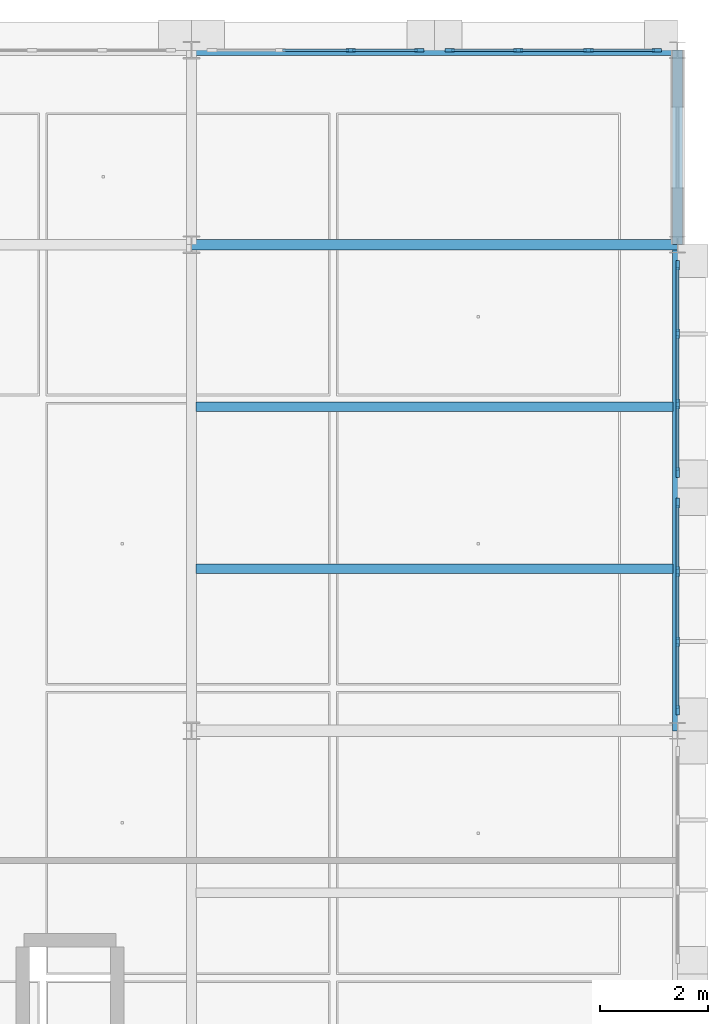
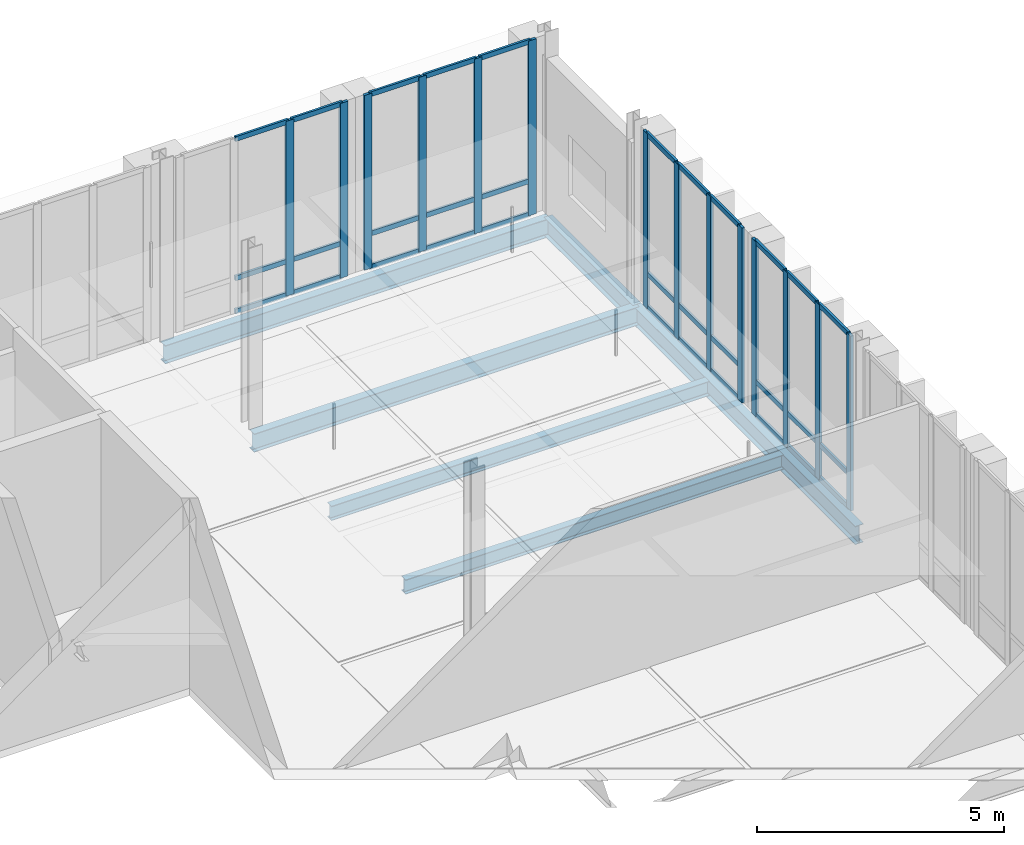
# One storey, part 34 of 89: 47 members, 6 beams, 4 elements without a shape of their own.
"""IFC4 building model written with IfcOpenShell, lengths in metres."""

from ifc_helpers import new_model, si_unit, direction, frame, origin, origin_2d, place, context, subcontext, project, spatial, rectangle, i_section, extrude, material, material_profile, profile_set, type_object, element, aggregate, save


model = new_model("IFC4")

# Units and contexts
model_context = context("Model", 3, precision=1e-05, world=origin(), true_north=direction((0.0, 1.0)))
body_context = subcontext(model_context, "Body", "Model", "MODEL_VIEW")
ifc_project = project(units=[si_unit("LENGTHUNIT", "METRE"), si_unit("AREAUNIT", "SQUARE_METRE"), si_unit("VOLUMEUNIT", "CUBIC_METRE"), si_unit("PLANEANGLEUNIT", "RADIAN"), si_unit("MASSUNIT", "GRAM", prefix="KILO"), si_unit("THERMODYNAMICTEMPERATUREUNIT", "KELVIN"), si_unit("POWERUNIT", "WATT")], contexts=[model_context])

# Site, building, storey
site_placement = place(None, origin())
site = spatial("IfcSite", under=ifc_project, at=site_placement, CompositionType="ELEMENT")
building_placement = place(site_placement, origin())
building = spatial("IfcBuilding", under=site, at=building_placement, Name="Tallowbark Science Centre", CompositionType="ELEMENT")
storey_placement = place(building_placement, frame((0.0, 0.0, 14.39990234375)))
storey = spatial("IfcBuildingStorey", under=building, at=storey_placement, Name="L03", CompositionType="ELEMENT", Elevation=14.39990234375)

# Curtain wall, members
ifc_material_1 = material(Name="Unitised Thermally Broken Aluminium and Low-E Double Glazing", Category="aluminium")
curtain_wall_type = type_object("IfcCurtainWallType", Name="CW-SYS-FACADE", PredefinedType="NOTDEFINED", material=ifc_material_1)
curtain_wall_1_placement = place(storey_placement, origin())
curtain_wall_1 = element("IfcCurtainWall", 1, at=curtain_wall_1_placement, inside=storey, type_object=curtain_wall_type, Name="Unitised Curtain Wall OBS-N-148A CW-L03-182", PredefinedType="NOTDEFINED")
ifc_material_2 = material(Name="Anodised Architectural Aluminium Alloy 6063-T6", Category="aluminium")
ifc_material_profile_1 = material_profile(ifc_material_2, rectangle(XDim=0.06494140625, YDim=0.179931640625, at=origin_2d()), Name="ALU65x180")
ifc_profile_set_1 = profile_set([ifc_material_profile_1], Name="Anodised Architectural Aluminium Alloy 6063-T6")
member_type_1 = type_object("IfcMemberType", Name="CWM-MUL-220", PredefinedType="MULLION", material=ifc_profile_set_1)
member_1_placement = place(storey_placement, frame((157.117431640625, 111.60009765625, 0.0), z_axis=(0.0, 0.0, 1.0), x_axis=(0.0, -1.0, 0.0)))
member_1 = element("IfcMember", 2, at=member_1_placement, type_object=member_type_1, Name="CW-01 mullion 1", PredefinedType="MULLION", context=body_context, shape_type="SweptSolid", body=[
    extrude(rectangle(XDim=0.06494140625, YDim=0.179931640625, at=origin_2d()), origin(), (0.0, 0.0, 1.0), 4.320068359375),
])
member_2_placement = place(storey_placement, frame((155.85009765625, 111.60009765625, 0.0), z_axis=(0.0, 0.0, 1.0), x_axis=(0.0, -1.0, 0.0)))
member_2 = element("IfcMember", 3, at=member_2_placement, type_object=member_type_1, Name="CW-01 mullion 2", PredefinedType="MULLION", context=body_context, shape_type="SweptSolid", body=[
    extrude(rectangle(XDim=0.06494140625, YDim=0.179931640625, at=origin_2d()), origin(), (0.0, 0.0, 1.0), 4.320068359375),
])
member_3_placement = place(storey_placement, frame((154.550048828125, 111.60009765625, 0.0), z_axis=(0.0, 0.0, 1.0), x_axis=(0.0, -1.0, 0.0)))
member_3 = element("IfcMember", 4, at=member_3_placement, type_object=member_type_1, Name="CW-01 mullion 3", PredefinedType="MULLION", context=body_context, shape_type="SweptSolid", body=[
    extrude(rectangle(XDim=0.06494140625, YDim=0.179931640625, at=origin_2d()), origin(), (0.0, 0.0, 1.0), 4.320068359375),
])
member_4_placement = place(storey_placement, frame((153.282470703125, 111.60009765625, 0.0), z_axis=(0.0, 0.0, 1.0), x_axis=(0.0, -1.0, 0.0)))
member_4 = element("IfcMember", 5, at=member_4_placement, type_object=member_type_1, Name="CW-01 mullion 4", PredefinedType="MULLION", context=body_context, shape_type="SweptSolid", body=[
    extrude(rectangle(XDim=0.06494140625, YDim=0.179931640625, at=origin_2d()), origin(), (0.0, 0.0, 1.0), 4.320068359375),
])

curtain_wall_2_placement = place(storey_placement, origin())
curtain_wall_2 = element("IfcCurtainWall", 6, at=curtain_wall_2_placement, inside=storey, type_object=curtain_wall_type, Name="Unitised Curtain Wall OBS-N-148B CW-L03-183", PredefinedType="NOTDEFINED")
member_5_placement = place(storey_placement, frame((152.717529296875, 111.60009765625, 0.0), z_axis=(0.0, 0.0, 1.0), x_axis=(0.0, -1.0, 0.0)))
member_5 = element("IfcMember", 7, at=member_5_placement, type_object=member_type_1, Name="CW-01 mullion 1", PredefinedType="MULLION", context=body_context, shape_type="SweptSolid", body=[
    extrude(rectangle(XDim=0.06494140625, YDim=0.179931640625, at=origin_2d()), origin(), (0.0, 0.0, 1.0), 4.320068359375),
])
member_6_placement = place(storey_placement, frame((151.449951171875, 111.60009765625, 0.0), z_axis=(0.0, 0.0, 1.0), x_axis=(0.0, -1.0, 0.0)))
member_6 = element("IfcMember", 8, at=member_6_placement, type_object=member_type_1, Name="CW-01 mullion 2", PredefinedType="MULLION", context=body_context, shape_type="SweptSolid", body=[
    extrude(rectangle(XDim=0.06494140625, YDim=0.179931640625, at=origin_2d()), origin(), (0.0, 0.0, 1.0), 4.320068359375),
])

curtain_wall_3_placement = place(storey_placement, origin())
curtain_wall_3 = element("IfcCurtainWall", 9, at=curtain_wall_3_placement, inside=storey, type_object=curtain_wall_type, Name="Unitised Curtain Wall OBS-E-99A CW-L03-188", PredefinedType="NOTDEFINED")
member_7_placement = place(storey_placement, frame((157.5, 99.382568359375, 0.0), z_axis=(0.0, 0.0, 1.0), x_axis=(-1.0, 0.0, 0.0)))
member_7 = element("IfcMember", 10, at=member_7_placement, type_object=member_type_1, Name="CW-01 mullion 1", PredefinedType="MULLION", context=body_context, shape_type="SweptSolid", body=[
    extrude(rectangle(XDim=0.06494140625, YDim=0.179931640625, at=origin_2d()), origin(), (0.0, 0.0, 1.0), 4.320068359375),
])
member_8_placement = place(storey_placement, frame((157.5, 100.64990234375, 0.0), z_axis=(0.0, 0.0, 1.0), x_axis=(-1.0, 0.0, 0.0)))
member_8 = element("IfcMember", 11, at=member_8_placement, type_object=member_type_1, Name="CW-01 mullion 2", PredefinedType="MULLION", context=body_context, shape_type="SweptSolid", body=[
    extrude(rectangle(XDim=0.06494140625, YDim=0.179931640625, at=origin_2d()), origin(), (0.0, 0.0, 1.0), 4.320068359375),
])
member_9_placement = place(storey_placement, frame((157.5, 101.949951171875, 0.0), z_axis=(0.0, 0.0, 1.0), x_axis=(-1.0, 0.0, 0.0)))
member_9 = element("IfcMember", 12, at=member_9_placement, type_object=member_type_1, Name="CW-01 mullion 3", PredefinedType="MULLION", context=body_context, shape_type="SweptSolid", body=[
    extrude(rectangle(XDim=0.06494140625, YDim=0.179931640625, at=origin_2d()), origin(), (0.0, 0.0, 1.0), 4.320068359375),
])
member_10_placement = place(storey_placement, frame((157.5, 103.217529296875, 0.0), z_axis=(0.0, 0.0, 1.0), x_axis=(-1.0, 0.0, 0.0)))
member_10 = element("IfcMember", 13, at=member_10_placement, type_object=member_type_1, Name="CW-01 mullion 4", PredefinedType="MULLION", context=body_context, shape_type="SweptSolid", body=[
    extrude(rectangle(XDim=0.06494140625, YDim=0.179931640625, at=origin_2d()), origin(), (0.0, 0.0, 1.0), 4.320068359375),
])

curtain_wall_4_placement = place(storey_placement, origin())
curtain_wall_4 = element("IfcCurtainWall", 14, at=curtain_wall_4_placement, inside=storey, type_object=curtain_wall_type, Name="Unitised Curtain Wall OBS-E-99B CW-L03-189", PredefinedType="NOTDEFINED")
member_11_placement = place(storey_placement, frame((157.5, 103.782470703125, 0.0), z_axis=(0.0, 0.0, 1.0), x_axis=(-1.0, 0.0, 0.0)))
member_11 = element("IfcMember", 15, at=member_11_placement, type_object=member_type_1, Name="CW-01 mullion 1", PredefinedType="MULLION", context=body_context, shape_type="SweptSolid", body=[
    extrude(rectangle(XDim=0.06494140625, YDim=0.179931640625, at=origin_2d()), origin(), (0.0, 0.0, 1.0), 4.320068359375),
])
member_12_placement = place(storey_placement, frame((157.5, 105.050048828125, 0.0), z_axis=(0.0, 0.0, 1.0), x_axis=(-1.0, 0.0, 0.0)))
member_12 = element("IfcMember", 16, at=member_12_placement, type_object=member_type_1, Name="CW-01 mullion 2", PredefinedType="MULLION", context=body_context, shape_type="SweptSolid", body=[
    extrude(rectangle(XDim=0.06494140625, YDim=0.179931640625, at=origin_2d()), origin(), (0.0, 0.0, 1.0), 4.320068359375),
])
member_13_placement = place(storey_placement, frame((157.5, 106.35009765625, 0.0), z_axis=(0.0, 0.0, 1.0), x_axis=(-1.0, 0.0, 0.0)))
member_13 = element("IfcMember", 17, at=member_13_placement, type_object=member_type_1, Name="CW-01 mullion 3", PredefinedType="MULLION", context=body_context, shape_type="SweptSolid", body=[
    extrude(rectangle(XDim=0.06494140625, YDim=0.179931640625, at=origin_2d()), origin(), (0.0, 0.0, 1.0), 4.320068359375),
])
member_14_placement = place(storey_placement, frame((157.5, 107.617431640625, 0.0), z_axis=(0.0, 0.0, 1.0), x_axis=(-1.0, 0.0, 0.0)))
member_14 = element("IfcMember", 18, at=member_14_placement, type_object=member_type_1, Name="CW-01 mullion 4", PredefinedType="MULLION", context=body_context, shape_type="SweptSolid", body=[
    extrude(rectangle(XDim=0.06494140625, YDim=0.179931640625, at=origin_2d()), origin(), (0.0, 0.0, 1.0), 4.320068359375),
])

# Member
ifc_material_profile_2 = material_profile(ifc_material_2, rectangle(XDim=0.054931640625, YDim=0.1201171875, at=origin_2d()), Name="ALU55x120")
ifc_profile_set_2 = profile_set([ifc_material_profile_2], Name="Anodised Architectural Aluminium Alloy 6063-T6")
member_type_2 = type_object("IfcMemberType", Name="CWM-TRN-150", PredefinedType="USERDEFINED", material=ifc_profile_set_2)
member_15_placement = place(storey_placement, frame((157.0849609375, 111.60009765625, 0.027587890625), z_axis=(-1.0, 0.0, 0.0), x_axis=(0.0, -1.0, 0.0)))
member_15 = element("IfcMember", 19, at=member_15_placement, type_object=member_type_2, Name="CW-01 transom 1.1", ObjectType="TRANSOM", PredefinedType="USERDEFINED", context=body_context, shape_type="SweptSolid", body=[
    extrude(rectangle(XDim=0.054931640625, YDim=0.1201171875, at=origin_2d()), origin(), (0.0, 0.0, 1.0), 1.202392578125),
])

member_16_placement = place(storey_placement, frame((157.0849609375, 111.60009765625, 0.85009765625), z_axis=(-1.0, 0.0, 0.0), x_axis=(0.0, -1.0, 0.0)))
member_16 = element("IfcMember", 20, at=member_16_placement, type_object=member_type_2, Name="CW-01 transom 1.2", ObjectType="TRANSOM", PredefinedType="USERDEFINED", context=body_context, shape_type="SweptSolid", body=[
    extrude(rectangle(XDim=0.054931640625, YDim=0.1201171875, at=origin_2d()), origin(), (0.0, 0.0, 1.0), 1.202392578125),
])

member_17_placement = place(storey_placement, frame((157.0849609375, 111.60009765625, 4.29248046875), z_axis=(-1.0, 0.0, 0.0), x_axis=(0.0, -1.0, 0.0)))
member_17 = element("IfcMember", 21, at=member_17_placement, type_object=member_type_2, Name="CW-01 transom 1.3", ObjectType="TRANSOM", PredefinedType="USERDEFINED", context=body_context, shape_type="SweptSolid", body=[
    extrude(rectangle(XDim=0.054931640625, YDim=0.1201171875, at=origin_2d()), origin(), (0.0, 0.0, 1.0), 1.202392578125),
])

member_18_placement = place(storey_placement, frame((155.8173828125, 111.60009765625, 0.027587890625), z_axis=(-1.0, 0.0, 0.0), x_axis=(0.0, -1.0, 0.0)))
member_18 = element("IfcMember", 22, at=member_18_placement, type_object=member_type_2, Name="CW-01 transom 2.1", ObjectType="TRANSOM", PredefinedType="USERDEFINED", context=body_context, shape_type="SweptSolid", body=[
    extrude(rectangle(XDim=0.054931640625, YDim=0.1201171875, at=origin_2d()), origin(), (0.0, 0.0, 1.0), 1.23486328125),
])

member_19_placement = place(storey_placement, frame((155.8173828125, 111.60009765625, 0.85009765625), z_axis=(-1.0, 0.0, 0.0), x_axis=(0.0, -1.0, 0.0)))
member_19 = element("IfcMember", 23, at=member_19_placement, type_object=member_type_2, Name="CW-01 transom 2.2", ObjectType="TRANSOM", PredefinedType="USERDEFINED", context=body_context, shape_type="SweptSolid", body=[
    extrude(rectangle(XDim=0.054931640625, YDim=0.1201171875, at=origin_2d()), origin(), (0.0, 0.0, 1.0), 1.23486328125),
])

member_20_placement = place(storey_placement, frame((155.8173828125, 111.60009765625, 4.29248046875), z_axis=(-1.0, 0.0, 0.0), x_axis=(0.0, -1.0, 0.0)))
member_20 = element("IfcMember", 24, at=member_20_placement, type_object=member_type_2, Name="CW-01 transom 2.3", ObjectType="TRANSOM", PredefinedType="USERDEFINED", context=body_context, shape_type="SweptSolid", body=[
    extrude(rectangle(XDim=0.054931640625, YDim=0.1201171875, at=origin_2d()), origin(), (0.0, 0.0, 1.0), 1.23486328125),
])

member_21_placement = place(storey_placement, frame((154.517578125, 111.60009765625, 0.027587890625), z_axis=(-1.0, 0.0, 0.0), x_axis=(0.0, -1.0, 0.0)))
member_21 = element("IfcMember", 25, at=member_21_placement, type_object=member_type_2, Name="CW-01 transom 3.1", ObjectType="TRANSOM", PredefinedType="USERDEFINED", context=body_context, shape_type="SweptSolid", body=[
    extrude(rectangle(XDim=0.054931640625, YDim=0.1201171875, at=origin_2d()), origin(), (0.0, 0.0, 1.0), 1.20263671875),
])

member_22_placement = place(storey_placement, frame((154.517578125, 111.60009765625, 0.85009765625), z_axis=(-1.0, 0.0, 0.0), x_axis=(0.0, -1.0, 0.0)))
member_22 = element("IfcMember", 26, at=member_22_placement, type_object=member_type_2, Name="CW-01 transom 3.2", ObjectType="TRANSOM", PredefinedType="USERDEFINED", context=body_context, shape_type="SweptSolid", body=[
    extrude(rectangle(XDim=0.054931640625, YDim=0.1201171875, at=origin_2d()), origin(), (0.0, 0.0, 1.0), 1.20263671875),
])

member_23_placement = place(storey_placement, frame((154.517578125, 111.60009765625, 4.29248046875), z_axis=(-1.0, 0.0, 0.0), x_axis=(0.0, -1.0, 0.0)))
member_23 = element("IfcMember", 27, at=member_23_placement, type_object=member_type_2, Name="CW-01 transom 3.3", ObjectType="TRANSOM", PredefinedType="USERDEFINED", context=body_context, shape_type="SweptSolid", body=[
    extrude(rectangle(XDim=0.054931640625, YDim=0.1201171875, at=origin_2d()), origin(), (0.0, 0.0, 1.0), 1.20263671875),
])

aggregate(curtain_wall_1, [member_1, member_2, member_3, member_4, member_15, member_16, member_17, member_18, member_19, member_20, member_21, member_22, member_23])

member_24_placement = place(storey_placement, frame((152.68505859375, 111.60009765625, 0.027587890625), z_axis=(-1.0, 0.0, 0.0), x_axis=(0.0, -1.0, 0.0)))
member_24 = element("IfcMember", 28, at=member_24_placement, type_object=member_type_2, Name="CW-01 transom 1.1", ObjectType="TRANSOM", PredefinedType="USERDEFINED", context=body_context, shape_type="SweptSolid", body=[
    extrude(rectangle(XDim=0.054931640625, YDim=0.1201171875, at=origin_2d()), origin(), (0.0, 0.0, 1.0), 1.20263671875),
])

member_25_placement = place(storey_placement, frame((152.68505859375, 111.60009765625, 0.85009765625), z_axis=(-1.0, 0.0, 0.0), x_axis=(0.0, -1.0, 0.0)))
member_25 = element("IfcMember", 29, at=member_25_placement, type_object=member_type_2, Name="CW-01 transom 1.2", ObjectType="TRANSOM", PredefinedType="USERDEFINED", context=body_context, shape_type="SweptSolid", body=[
    extrude(rectangle(XDim=0.054931640625, YDim=0.1201171875, at=origin_2d()), origin(), (0.0, 0.0, 1.0), 1.20263671875),
])

member_26_placement = place(storey_placement, frame((152.68505859375, 111.60009765625, 4.29248046875), z_axis=(-1.0, 0.0, 0.0), x_axis=(0.0, -1.0, 0.0)))
member_26 = element("IfcMember", 30, at=member_26_placement, type_object=member_type_2, Name="CW-01 transom 1.3", ObjectType="TRANSOM", PredefinedType="USERDEFINED", context=body_context, shape_type="SweptSolid", body=[
    extrude(rectangle(XDim=0.054931640625, YDim=0.1201171875, at=origin_2d()), origin(), (0.0, 0.0, 1.0), 1.20263671875),
])

member_27_placement = place(storey_placement, frame((151.41748046875, 111.60009765625, 0.027587890625), z_axis=(-1.0, 0.0, 0.0), x_axis=(0.0, -1.0, 0.0)))
member_27 = element("IfcMember", 31, at=member_27_placement, type_object=member_type_2, Name="CW-01 transom 2.1", ObjectType="TRANSOM", PredefinedType="USERDEFINED", context=body_context, shape_type="SweptSolid", body=[
    extrude(rectangle(XDim=0.054931640625, YDim=0.1201171875, at=origin_2d()), origin(), (0.0, 0.0, 1.0), 1.23486328125),
])

member_28_placement = place(storey_placement, frame((151.41748046875, 111.60009765625, 0.85009765625), z_axis=(-1.0, 0.0, 0.0), x_axis=(0.0, -1.0, 0.0)))
member_28 = element("IfcMember", 32, at=member_28_placement, type_object=member_type_2, Name="CW-01 transom 2.2", ObjectType="TRANSOM", PredefinedType="USERDEFINED", context=body_context, shape_type="SweptSolid", body=[
    extrude(rectangle(XDim=0.054931640625, YDim=0.1201171875, at=origin_2d()), origin(), (0.0, 0.0, 1.0), 1.23486328125),
])

member_29_placement = place(storey_placement, frame((151.41748046875, 111.60009765625, 4.29248046875), z_axis=(-1.0, 0.0, 0.0), x_axis=(0.0, -1.0, 0.0)))
member_29 = element("IfcMember", 33, at=member_29_placement, type_object=member_type_2, Name="CW-01 transom 2.3", ObjectType="TRANSOM", PredefinedType="USERDEFINED", context=body_context, shape_type="SweptSolid", body=[
    extrude(rectangle(XDim=0.054931640625, YDim=0.1201171875, at=origin_2d()), origin(), (0.0, 0.0, 1.0), 1.23486328125),
])

aggregate(curtain_wall_2, [member_5, member_6, member_24, member_25, member_26, member_27, member_28, member_29])

member_30_placement = place(storey_placement, frame((157.5, 99.4150390625, 0.027587890625), z_axis=(0.0, 1.0, 0.0), x_axis=(-1.0, 0.0, 0.0)))
member_30 = element("IfcMember", 34, at=member_30_placement, type_object=member_type_2, Name="CW-01 transom 1.1", ObjectType="TRANSOM", PredefinedType="USERDEFINED", context=body_context, shape_type="SweptSolid", body=[
    extrude(rectangle(XDim=0.054931640625, YDim=0.1201171875, at=origin_2d()), origin(), (0.0, 0.0, 1.0), 1.202392578125),
])

member_31_placement = place(storey_placement, frame((157.5, 99.4150390625, 0.85009765625), z_axis=(0.0, 1.0, 0.0), x_axis=(-1.0, 0.0, 0.0)))
member_31 = element("IfcMember", 35, at=member_31_placement, type_object=member_type_2, Name="CW-01 transom 1.2", ObjectType="TRANSOM", PredefinedType="USERDEFINED", context=body_context, shape_type="SweptSolid", body=[
    extrude(rectangle(XDim=0.054931640625, YDim=0.1201171875, at=origin_2d()), origin(), (0.0, 0.0, 1.0), 1.202392578125),
])

member_32_placement = place(storey_placement, frame((157.5, 99.4150390625, 4.29248046875), z_axis=(0.0, 1.0, 0.0), x_axis=(-1.0, 0.0, 0.0)))
member_32 = element("IfcMember", 36, at=member_32_placement, type_object=member_type_2, Name="CW-01 transom 1.3", ObjectType="TRANSOM", PredefinedType="USERDEFINED", context=body_context, shape_type="SweptSolid", body=[
    extrude(rectangle(XDim=0.054931640625, YDim=0.1201171875, at=origin_2d()), origin(), (0.0, 0.0, 1.0), 1.202392578125),
])

member_33_placement = place(storey_placement, frame((157.5, 100.6826171875, 0.027587890625), z_axis=(0.0, 1.0, 0.0), x_axis=(-1.0, 0.0, 0.0)))
member_33 = element("IfcMember", 37, at=member_33_placement, type_object=member_type_2, Name="CW-01 transom 2.1", ObjectType="TRANSOM", PredefinedType="USERDEFINED", context=body_context, shape_type="SweptSolid", body=[
    extrude(rectangle(XDim=0.054931640625, YDim=0.1201171875, at=origin_2d()), origin(), (0.0, 0.0, 1.0), 1.23486328125),
])

member_34_placement = place(storey_placement, frame((157.5, 100.6826171875, 0.85009765625), z_axis=(0.0, 1.0, 0.0), x_axis=(-1.0, 0.0, 0.0)))
member_34 = element("IfcMember", 38, at=member_34_placement, type_object=member_type_2, Name="CW-01 transom 2.2", ObjectType="TRANSOM", PredefinedType="USERDEFINED", context=body_context, shape_type="SweptSolid", body=[
    extrude(rectangle(XDim=0.054931640625, YDim=0.1201171875, at=origin_2d()), origin(), (0.0, 0.0, 1.0), 1.23486328125),
])

member_35_placement = place(storey_placement, frame((157.5, 100.6826171875, 4.29248046875), z_axis=(0.0, 1.0, 0.0), x_axis=(-1.0, 0.0, 0.0)))
member_35 = element("IfcMember", 39, at=member_35_placement, type_object=member_type_2, Name="CW-01 transom 2.3", ObjectType="TRANSOM", PredefinedType="USERDEFINED", context=body_context, shape_type="SweptSolid", body=[
    extrude(rectangle(XDim=0.054931640625, YDim=0.1201171875, at=origin_2d()), origin(), (0.0, 0.0, 1.0), 1.23486328125),
])

member_36_placement = place(storey_placement, frame((157.5, 101.982421875, 0.027587890625), z_axis=(0.0, 1.0, 0.0), x_axis=(-1.0, 0.0, 0.0)))
member_36 = element("IfcMember", 40, at=member_36_placement, type_object=member_type_2, Name="CW-01 transom 3.1", ObjectType="TRANSOM", PredefinedType="USERDEFINED", context=body_context, shape_type="SweptSolid", body=[
    extrude(rectangle(XDim=0.054931640625, YDim=0.1201171875, at=origin_2d()), origin(), (0.0, 0.0, 1.0), 1.20263671875),
])

member_37_placement = place(storey_placement, frame((157.5, 101.982421875, 0.85009765625), z_axis=(0.0, 1.0, 0.0), x_axis=(-1.0, 0.0, 0.0)))
member_37 = element("IfcMember", 41, at=member_37_placement, type_object=member_type_2, Name="CW-01 transom 3.2", ObjectType="TRANSOM", PredefinedType="USERDEFINED", context=body_context, shape_type="SweptSolid", body=[
    extrude(rectangle(XDim=0.054931640625, YDim=0.1201171875, at=origin_2d()), origin(), (0.0, 0.0, 1.0), 1.20263671875),
])

member_38_placement = place(storey_placement, frame((157.5, 101.982421875, 4.29248046875), z_axis=(0.0, 1.0, 0.0), x_axis=(-1.0, 0.0, 0.0)))
member_38 = element("IfcMember", 42, at=member_38_placement, type_object=member_type_2, Name="CW-01 transom 3.3", ObjectType="TRANSOM", PredefinedType="USERDEFINED", context=body_context, shape_type="SweptSolid", body=[
    extrude(rectangle(XDim=0.054931640625, YDim=0.1201171875, at=origin_2d()), origin(), (0.0, 0.0, 1.0), 1.20263671875),
])

aggregate(curtain_wall_3, [member_7, member_8, member_9, member_10, member_30, member_31, member_32, member_33, member_34, member_35, member_36, member_37, member_38])

member_39_placement = place(storey_placement, frame((157.5, 103.81494140625, 0.027587890625), z_axis=(0.0, 1.0, 0.0), x_axis=(-1.0, 0.0, 0.0)))
member_39 = element("IfcMember", 43, at=member_39_placement, type_object=member_type_2, Name="CW-01 transom 1.1", ObjectType="TRANSOM", PredefinedType="USERDEFINED", context=body_context, shape_type="SweptSolid", body=[
    extrude(rectangle(XDim=0.054931640625, YDim=0.1201171875, at=origin_2d()), origin(), (0.0, 0.0, 1.0), 1.20263671875),
])

member_40_placement = place(storey_placement, frame((157.5, 103.81494140625, 0.85009765625), z_axis=(0.0, 1.0, 0.0), x_axis=(-1.0, 0.0, 0.0)))
member_40 = element("IfcMember", 44, at=member_40_placement, type_object=member_type_2, Name="CW-01 transom 1.2", ObjectType="TRANSOM", PredefinedType="USERDEFINED", context=body_context, shape_type="SweptSolid", body=[
    extrude(rectangle(XDim=0.054931640625, YDim=0.1201171875, at=origin_2d()), origin(), (0.0, 0.0, 1.0), 1.20263671875),
])

member_41_placement = place(storey_placement, frame((157.5, 103.81494140625, 4.29248046875), z_axis=(0.0, 1.0, 0.0), x_axis=(-1.0, 0.0, 0.0)))
member_41 = element("IfcMember", 45, at=member_41_placement, type_object=member_type_2, Name="CW-01 transom 1.3", ObjectType="TRANSOM", PredefinedType="USERDEFINED", context=body_context, shape_type="SweptSolid", body=[
    extrude(rectangle(XDim=0.054931640625, YDim=0.1201171875, at=origin_2d()), origin(), (0.0, 0.0, 1.0), 1.20263671875),
])

member_42_placement = place(storey_placement, frame((157.5, 105.08251953125, 0.027587890625), z_axis=(0.0, 1.0, 0.0), x_axis=(-1.0, 0.0, 0.0)))
member_42 = element("IfcMember", 46, at=member_42_placement, type_object=member_type_2, Name="CW-01 transom 2.1", ObjectType="TRANSOM", PredefinedType="USERDEFINED", context=body_context, shape_type="SweptSolid", body=[
    extrude(rectangle(XDim=0.054931640625, YDim=0.1201171875, at=origin_2d()), origin(), (0.0, 0.0, 1.0), 1.23486328125),
])

member_43_placement = place(storey_placement, frame((157.5, 105.08251953125, 0.85009765625), z_axis=(0.0, 1.0, 0.0), x_axis=(-1.0, 0.0, 0.0)))
member_43 = element("IfcMember", 47, at=member_43_placement, type_object=member_type_2, Name="CW-01 transom 2.2", ObjectType="TRANSOM", PredefinedType="USERDEFINED", context=body_context, shape_type="SweptSolid", body=[
    extrude(rectangle(XDim=0.054931640625, YDim=0.1201171875, at=origin_2d()), origin(), (0.0, 0.0, 1.0), 1.23486328125),
])

member_44_placement = place(storey_placement, frame((157.5, 105.08251953125, 4.29248046875), z_axis=(0.0, 1.0, 0.0), x_axis=(-1.0, 0.0, 0.0)))
member_44 = element("IfcMember", 48, at=member_44_placement, type_object=member_type_2, Name="CW-01 transom 2.3", ObjectType="TRANSOM", PredefinedType="USERDEFINED", context=body_context, shape_type="SweptSolid", body=[
    extrude(rectangle(XDim=0.054931640625, YDim=0.1201171875, at=origin_2d()), origin(), (0.0, 0.0, 1.0), 1.23486328125),
])

member_45_placement = place(storey_placement, frame((157.5, 106.382568359375, 0.027587890625), z_axis=(0.0, 1.0, 0.0), x_axis=(-1.0, 0.0, 0.0)))
member_45 = element("IfcMember", 49, at=member_45_placement, type_object=member_type_2, Name="CW-01 transom 3.1", ObjectType="TRANSOM", PredefinedType="USERDEFINED", context=body_context, shape_type="SweptSolid", body=[
    extrude(rectangle(XDim=0.054931640625, YDim=0.1201171875, at=origin_2d()), origin(), (0.0, 0.0, 1.0), 1.202392578125),
])

member_46_placement = place(storey_placement, frame((157.5, 106.382568359375, 0.85009765625), z_axis=(0.0, 1.0, 0.0), x_axis=(-1.0, 0.0, 0.0)))
member_46 = element("IfcMember", 50, at=member_46_placement, type_object=member_type_2, Name="CW-01 transom 3.2", ObjectType="TRANSOM", PredefinedType="USERDEFINED", context=body_context, shape_type="SweptSolid", body=[
    extrude(rectangle(XDim=0.054931640625, YDim=0.1201171875, at=origin_2d()), origin(), (0.0, 0.0, 1.0), 1.202392578125),
])

member_47_placement = place(storey_placement, frame((157.5, 106.382568359375, 4.29248046875), z_axis=(0.0, 1.0, 0.0), x_axis=(-1.0, 0.0, 0.0)))
member_47 = element("IfcMember", 51, at=member_47_placement, type_object=member_type_2, Name="CW-01 transom 3.3", ObjectType="TRANSOM", PredefinedType="USERDEFINED", context=body_context, shape_type="SweptSolid", body=[
    extrude(rectangle(XDim=0.054931640625, YDim=0.1201171875, at=origin_2d()), origin(), (0.0, 0.0, 1.0), 1.202392578125),
])

aggregate(curtain_wall_4, [member_11, member_12, member_13, member_14, member_39, member_40, member_41, member_42, member_43, member_44, member_45, member_46, member_47])

# Beams
ifc_material_3 = material(Name="Structural Steel Grade 300PLUS (300 MPa)", Category="steel")
ifc_material_profile_3 = material_profile(ifc_material_3, i_section(OverallWidth=0.172119140625, OverallDepth=0.358642578125, WebThickness=0.008056640625, FlangeThickness=0.012939453125, FilletRadius=0.011474609375, at=origin_2d()), Name="360UB56.7")
ifc_profile_set_3 = profile_set([ifc_material_profile_3], Name="Structural Steel Grade 300PLUS (300 MPa)")
beam_type_1 = type_object("IfcBeamType", Name="JST-UB360", PredefinedType="JOIST", material=ifc_profile_set_3)
for number, where, z_axis, x_axis, name in (
    (52, (148.5849609375, 102.0, -0.359130859375), (1.0, 0.0, 0.0), (0.0, 1.0, 0.0), "Composite Floor Joist JSTX-L03-1485-1020"),
    (53, (148.5849609375, 105.0, -0.359130859375), (1.0, 0.0, 0.0), (0.0, 1.0, 0.0), "Composite Floor Joist JSTX-L03-1485-1050"),
):
    element("IfcBeam", number, at=place(storey_placement, frame(where, z_axis=z_axis, x_axis=x_axis)), inside=storey, type_object=beam_type_1, Name=name, PredefinedType="JOIST", context=body_context, shape_type="SweptSolid", body=[
        extrude(i_section(OverallWidth=0.172119140625, OverallDepth=0.358642578125, WebThickness=0.008056640625, FlangeThickness=0.012939453125, FilletRadius=0.011474609375, at=origin_2d()), origin(), (0.0, 0.0, 1.0), 8.830078125),
    ])
ifc_material_profile_4 = material_profile(ifc_material_3, i_section(OverallWidth=0.18994140625, OverallDepth=0.453857421875, WebThickness=0.008544921875, FlangeThickness=0.0126953125, FilletRadius=0.011474609375, at=origin_2d()), Name="460UB67.1")
ifc_profile_set_4 = profile_set([ifc_material_profile_4], Name="Structural Steel Grade 300PLUS (300 MPa)")
beam_type_2 = type_object("IfcBeamType", Name="SPN-UB460", PredefinedType="SPANDREL", material=ifc_profile_set_4)
for number, where, z_axis, x_axis, name in (
    (54, (148.5, 108.0, -0.40673828125), (1.0, 0.0, 0.0), (0.0, 1.0, 0.0), "Primary Girder GRDX-L03-1485-1575-1080"),
    (55, (148.5, 111.60009765625, -0.40673828125), (1.0, 0.0, 0.0), (0.0, 1.0, 0.0), "Primary Girder GRDX-L03-1485-1575-1116"),
    (56, (157.5, 99.0, -0.40673828125), (0.0, 1.0, 0.0), (-1.0, 0.0, 0.0), "Primary Girder GRDY-L03-1575-990-1080"),
):
    element("IfcBeam", number, at=place(storey_placement, frame(where, z_axis=z_axis, x_axis=x_axis)), inside=storey, type_object=beam_type_2, Name=name, PredefinedType="SPANDREL", context=body_context, shape_type="SweptSolid", body=[
        extrude(i_section(OverallWidth=0.18994140625, OverallDepth=0.453857421875, WebThickness=0.008544921875, FlangeThickness=0.0126953125, FilletRadius=0.011474609375, at=origin_2d()), origin(), (0.0, 0.0, 1.0), 9.0),
    ])
beam_placement = place(storey_placement, frame((157.5, 108.0, -0.40673828125), z_axis=(0.0, 1.0, 0.0), x_axis=(-1.0, 0.0, 0.0)))
element("IfcBeam", 57, at=beam_placement, inside=storey, type_object=beam_type_2, Name="Primary Girder GRDY-L03-1575-1080-1116", PredefinedType="SPANDREL", context=body_context, shape_type="SweptSolid", body=[
    extrude(i_section(OverallWidth=0.18994140625, OverallDepth=0.453857421875, WebThickness=0.008544921875, FlangeThickness=0.0126953125, FilletRadius=0.011474609375, at=origin_2d()), origin(), (0.0, 0.0, 1.0), 3.60009765625),
])

save(model, "model.ifc")
